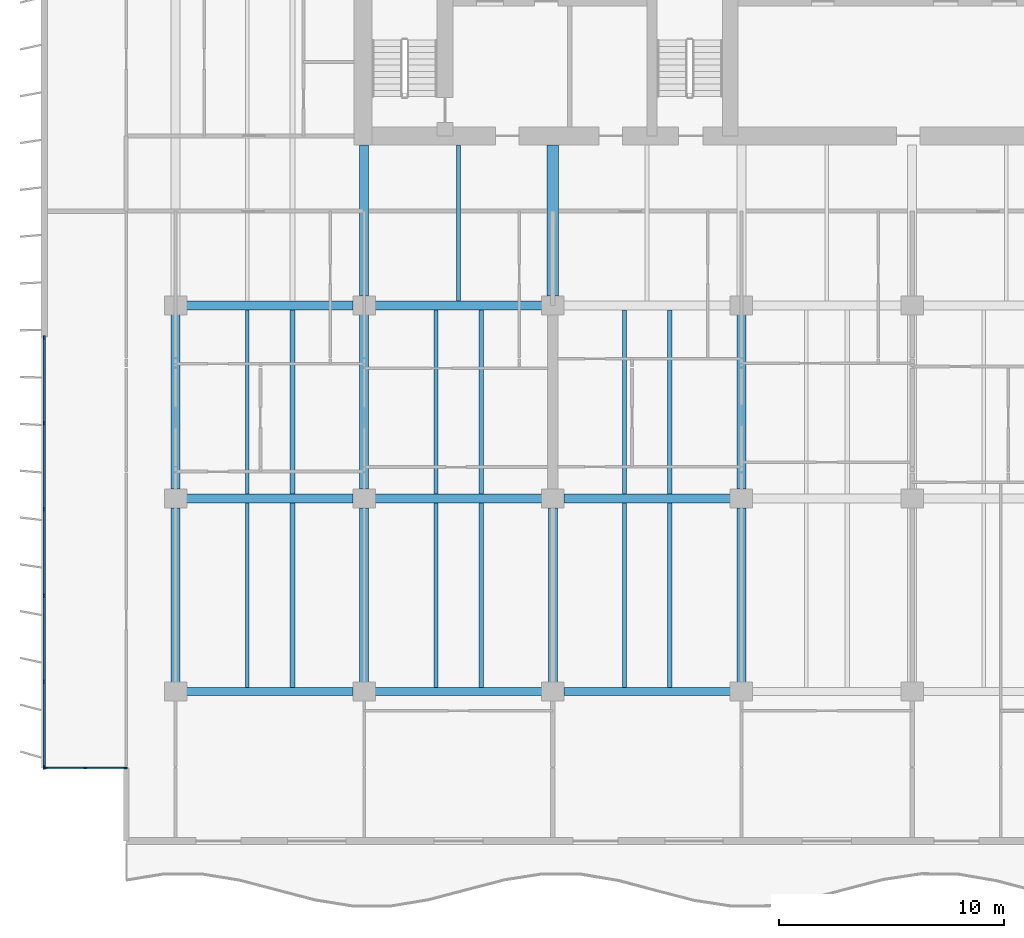
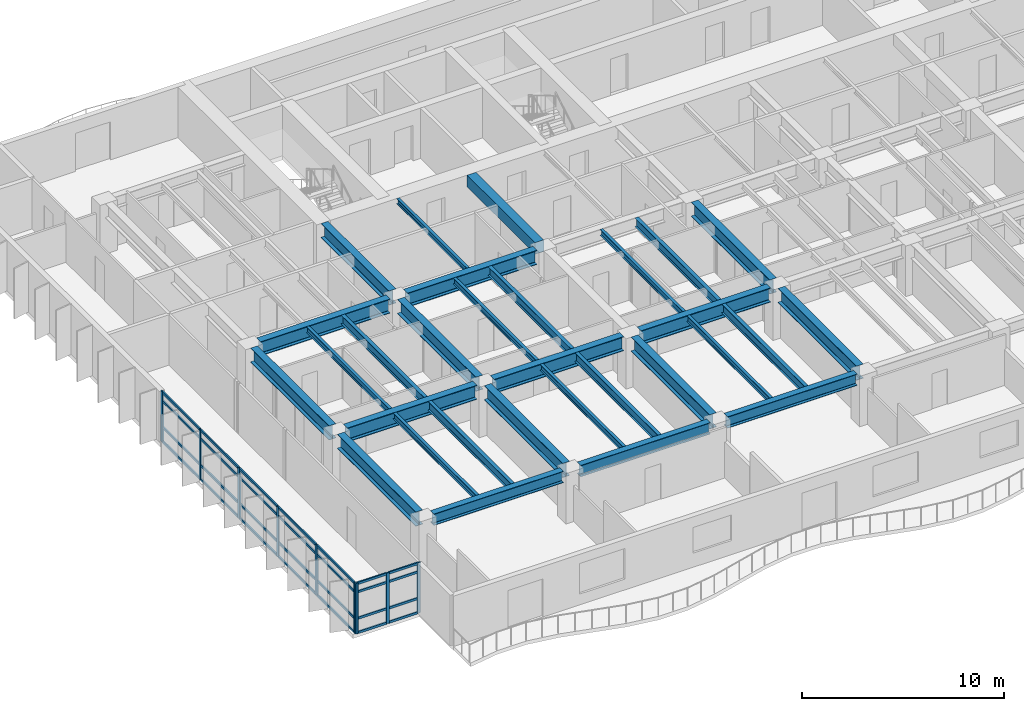
# One storey, part 2 of 19: 37 members, 30 beams, 2 elements without a shape of their own.
"""IFC4 building model written with IfcOpenShell, lengths in metres."""

from ifc_helpers import new_model, si_unit, direction, frame, origin, origin_2d, place, context, subcontext, project, spatial, rectangle, i_section, extrude, material, layer, layer_set, material_profile, profile_set, type_object, element, aggregate, save


model = new_model("IFC4")

# Units and contexts
model_context = context("Model", 3, precision=1e-05, world=origin(), true_north=direction((0.0, 1.0)))
body_context = subcontext(model_context, "Body", "Model", "MODEL_VIEW")
ifc_project = project(units=[si_unit("LENGTHUNIT", "METRE"), si_unit("AREAUNIT", "SQUARE_METRE"), si_unit("VOLUMEUNIT", "CUBIC_METRE"), si_unit("PLANEANGLEUNIT", "RADIAN"), si_unit("MASSUNIT", "GRAM", prefix="KILO")], contexts=[model_context])

# Site, building, storey
site_placement = place(None, origin())
site = spatial("IfcSite", under=ifc_project, at=site_placement, CompositionType="ELEMENT")
building_placement = place(site_placement, origin())
building = spatial("IfcBuilding", under=site, at=building_placement, Name="Caelmar Bay Residences", CompositionType="ELEMENT")
storey_placement = place(building_placement, frame((0.0, 0.0, 115.800048828125)))
storey = spatial("IfcBuildingStorey", under=building, at=storey_placement, Name="L31", CompositionType="ELEMENT", Elevation=115.800048828125)

# Beams
ifc_material_1 = material(Name="Steel ASTM A992 Grade 50", Category="steel")
ifc_material_profile_1 = material_profile(ifc_material_1, i_section(OverallWidth=0.40087890625, OverallDepth=0.861083984375, WebThickness=0.019775390625, FlangeThickness=0.032470703125, FilletRadius=0.017822265625, at=origin_2d()), Name="W33X221")
ifc_profile_set_1 = profile_set([ifc_material_profile_1], Name="Steel ASTM A992 Grade 50")
beam_type_1 = type_object("IfcBeamType", Name="BM-GRD-W33X221", PredefinedType="BEAM", material=ifc_profile_set_1)
beam_1_placement = place(storey_placement, frame((10.389892578125, 20.800048828125, 2.619384765625), z_axis=(1.0, 0.0, 0.0), x_axis=(0.0, 1.0, 0.0)))
element("IfcBeam", 1, at=beam_1_placement, inside=storey, type_object=beam_type_1, Name="L31 East-West Girder Y=20.80 (9.9-18.3)", PredefinedType="BEAM", context=body_context, shape_type="SweptSolid", body=[
    extrude(i_section(OverallWidth=0.40087890625, OverallDepth=0.861083984375, WebThickness=0.019775390625, FlangeThickness=0.032470703125, FilletRadius=0.017822265625, at=origin_2d()), origin(), (0.0, 0.0, 1.0), 7.420166015625),
])
beam_2_placement = place(storey_placement, frame((18.7900390625, 20.800048828125, 2.619384765625), z_axis=(1.0, 0.0, 0.0), x_axis=(0.0, 1.0, 0.0)))
element("IfcBeam", 2, at=beam_2_placement, inside=storey, type_object=beam_type_1, Name="L31 East-West Girder Y=20.80 (18.3-26.7)", PredefinedType="BEAM", context=body_context, shape_type="SweptSolid", body=[
    extrude(i_section(OverallWidth=0.40087890625, OverallDepth=0.861083984375, WebThickness=0.019775390625, FlangeThickness=0.032470703125, FilletRadius=0.017822265625, at=origin_2d()), origin(), (0.0, 0.0, 1.0), 7.419921875),
])
for number, where, z_axis, x_axis, name in (
    (3, (27.18994140625, 20.800048828125, 2.619384765625), (1.0, 0.0, 0.0), (0.0, 1.0, 0.0), "L31 East-West Girder Y=20.80 (26.7-35.1)"),
    (4, (10.389892578125, 29.39990234375, 2.619384765625), (1.0, 0.0, 0.0), (0.0, 1.0, 0.0), "L31 East-West Girder Y=29.40 (9.9-18.3)"),
):
    element("IfcBeam", number, at=place(storey_placement, frame(where, z_axis=z_axis, x_axis=x_axis)), inside=storey, type_object=beam_type_1, Name=name, PredefinedType="BEAM", context=body_context, shape_type="SweptSolid", body=[
        extrude(i_section(OverallWidth=0.40087890625, OverallDepth=0.861083984375, WebThickness=0.019775390625, FlangeThickness=0.032470703125, FilletRadius=0.017822265625, at=origin_2d()), origin(), (0.0, 0.0, 1.0), 7.420166015625),
    ])
beam_3_placement = place(storey_placement, frame((18.7900390625, 29.39990234375, 2.619384765625), z_axis=(1.0, 0.0, 0.0), x_axis=(0.0, 1.0, 0.0)))
element("IfcBeam", 5, at=beam_3_placement, inside=storey, type_object=beam_type_1, Name="L31 East-West Girder Y=29.40 (18.3-26.7)", PredefinedType="BEAM", context=body_context, shape_type="SweptSolid", body=[
    extrude(i_section(OverallWidth=0.40087890625, OverallDepth=0.861083984375, WebThickness=0.019775390625, FlangeThickness=0.032470703125, FilletRadius=0.017822265625, at=origin_2d()), origin(), (0.0, 0.0, 1.0), 7.419921875),
])
for number, where, z_axis, x_axis, name in (
    (6, (9.89990234375, 12.614990234375, 2.619384765625), (0.0, 1.0, 0.0), (-1.0, 0.0, 0.0), "L31 North-South Girder X=9.90 (12.2-20.8)"),
    (7, (9.89990234375, 21.215087890625, 2.619384765625), (0.0, 1.0, 0.0), (-1.0, 0.0, 0.0), "L31 North-South Girder X=9.90 (20.8-29.4)"),
):
    element("IfcBeam", number, at=place(storey_placement, frame(where, z_axis=z_axis, x_axis=x_axis)), inside=storey, type_object=beam_type_1, Name=name, PredefinedType="BEAM", context=body_context, shape_type="SweptSolid", body=[
        extrude(i_section(OverallWidth=0.40087890625, OverallDepth=0.861083984375, WebThickness=0.019775390625, FlangeThickness=0.032470703125, FilletRadius=0.017822265625, at=origin_2d()), origin(), (0.0, 0.0, 1.0), 7.77001953125),
    ])
beam_4_placement = place(storey_placement, frame((18.300048828125, 29.81494140625, 2.619384765625), z_axis=(0.0, 1.0, 0.0), x_axis=(-1.0, 0.0, 0.0)))
element("IfcBeam", 8, at=beam_4_placement, inside=storey, type_object=beam_type_1, Name="L31 Core Tie Girder X=18.30", PredefinedType="BEAM", context=body_context, shape_type="SweptSolid", body=[
    extrude(i_section(OverallWidth=0.40087890625, OverallDepth=0.861083984375, WebThickness=0.019775390625, FlangeThickness=0.032470703125, FilletRadius=0.017822265625, at=origin_2d()), origin(), (0.0, 0.0, 1.0), 6.735107421875),
])
for number, where, z_axis, x_axis, name in (
    (9, (18.300048828125, 12.614990234375, 2.619384765625), (0.0, 1.0, 0.0), (-1.0, 0.0, 0.0), "L31 North-South Girder X=18.30 (12.2-20.8)"),
    (10, (18.300048828125, 21.215087890625, 2.619384765625), (0.0, 1.0, 0.0), (-1.0, 0.0, 0.0), "L31 North-South Girder X=18.30 (20.8-29.4)"),
    (11, (26.699951171875, 12.614990234375, 2.619384765625), (0.0, 1.0, 0.0), (-1.0, 0.0, 0.0), "L31 North-South Girder X=26.70 (12.2-20.8)"),
    (12, (35.10009765625, 12.614990234375, 2.619384765625), (0.0, 1.0, 0.0), (-1.0, 0.0, 0.0), "L31 North-South Girder X=35.10 (12.2-20.8)"),
    (13, (35.10009765625, 21.215087890625, 2.619384765625), (0.0, 1.0, 0.0), (-1.0, 0.0, 0.0), "L31 North-South Girder X=35.10 (20.8-29.4)"),
):
    element("IfcBeam", number, at=place(storey_placement, frame(where, z_axis=z_axis, x_axis=x_axis)), inside=storey, type_object=beam_type_1, Name=name, PredefinedType="BEAM", context=body_context, shape_type="SweptSolid", body=[
        extrude(i_section(OverallWidth=0.40087890625, OverallDepth=0.861083984375, WebThickness=0.019775390625, FlangeThickness=0.032470703125, FilletRadius=0.017822265625, at=origin_2d()), origin(), (0.0, 0.0, 1.0), 7.77001953125),
    ])
ifc_material_profile_2 = material_profile(ifc_material_1, i_section(OverallWidth=0.1650390625, OverallDepth=0.31005859375, WebThickness=0.005859375, FlangeThickness=0.009765625, FilletRadius=0.007568359375, at=origin_2d()), Name="W12X26")
ifc_profile_set_2 = profile_set([ifc_material_profile_2], Name="Steel ASTM A992 Grade 50")
beam_type_2 = type_object("IfcBeamType", Name="BM-JST-W12X26", PredefinedType="JOIST", material=ifc_profile_set_2)
beam_5_placement = place(storey_placement, frame((22.5, 29.6005859375, 2.89501953125), z_axis=(0.0, 1.0, 0.0), x_axis=(-1.0, 0.0, 0.0)))
element("IfcBeam", 14, at=beam_5_placement, inside=storey, type_object=beam_type_2, Name="L31 Core-Band Composite Joist 29", PredefinedType="JOIST", context=body_context, shape_type="SweptSolid", body=[
    extrude(i_section(OverallWidth=0.1650390625, OverallDepth=0.31005859375, WebThickness=0.005859375, FlangeThickness=0.009765625, FilletRadius=0.007568359375, at=origin_2d()), origin(), (0.0, 0.0, 1.0), 6.949462890625),
])
ifc_material_profile_3 = material_profile(ifc_material_1, i_section(OverallWidth=0.1708984375, OverallDepth=0.35595703125, WebThickness=0.007080078125, FlangeThickness=0.01171875, FilletRadius=0.007568359375, at=origin_2d()), Name="W14X34")
ifc_profile_set_3 = profile_set([ifc_material_profile_3], Name="Steel ASTM A992 Grade 50")
beam_type_3 = type_object("IfcBeamType", Name="BM-JST-W14X34", PredefinedType="JOIST", material=ifc_profile_set_3)
for number, where, z_axis, x_axis, name in (
    (15, (13.092041015625, 12.3779296875, 2.8720703125), (0.0, 1.0, 0.0), (-1.0, 0.0, 0.0), "L31 Composite Floor Joist 1"),
    (16, (21.491943359375, 12.3779296875, 2.8720703125), (0.0, 1.0, 0.0), (-1.0, 0.0, 0.0), "L31 Composite Floor Joist 3"),
    (17, (29.89208984375, 12.3779296875, 2.8720703125), (0.0, 1.0, 0.0), (-1.0, 0.0, 0.0), "L31 Composite Floor Joist 5"),
):
    element("IfcBeam", number, at=place(storey_placement, frame(where, z_axis=z_axis, x_axis=x_axis)), inside=storey, type_object=beam_type_3, Name=name, PredefinedType="JOIST", context=body_context, shape_type="SweptSolid", body=[
        extrude(i_section(OverallWidth=0.1708984375, OverallDepth=0.35595703125, WebThickness=0.007080078125, FlangeThickness=0.01171875, FilletRadius=0.007568359375, at=origin_2d()), origin(), (0.0, 0.0, 1.0), 8.2216796875),
    ])
for number, where, z_axis, x_axis, name in (
    (18, (13.092041015625, 21.00048828125, 2.8720703125), (0.0, 1.0, 0.0), (-1.0, 0.0, 0.0), "L31 Composite Floor Joist 15"),
    (19, (21.491943359375, 21.00048828125, 2.8720703125), (0.0, 1.0, 0.0), (-1.0, 0.0, 0.0), "L31 Composite Floor Joist 17"),
    (20, (29.89208984375, 21.00048828125, 2.8720703125), (0.0, 1.0, 0.0), (-1.0, 0.0, 0.0), "L31 Composite Floor Joist 19"),
):
    element("IfcBeam", number, at=place(storey_placement, frame(where, z_axis=z_axis, x_axis=x_axis)), inside=storey, type_object=beam_type_3, Name=name, PredefinedType="JOIST", context=body_context, shape_type="SweptSolid", body=[
        extrude(i_section(OverallWidth=0.1708984375, OverallDepth=0.35595703125, WebThickness=0.007080078125, FlangeThickness=0.01171875, FilletRadius=0.007568359375, at=origin_2d()), origin(), (0.0, 0.0, 1.0), 8.198974609375),
    ])
ifc_material_profile_4 = material_profile(ifc_material_1, i_section(OverallWidth=0.2099609375, OverallDepth=0.535888671875, WebThickness=0.010986328125, FlangeThickness=0.017333984375, FilletRadius=0.0126953125, at=origin_2d()), Name="W21X68")
ifc_profile_set_4 = profile_set([ifc_material_profile_4], Name="Steel ASTM A992 Grade 50")
beam_type_4 = type_object("IfcBeamType", Name="BM-JST-W21X68", PredefinedType="JOIST", material=ifc_profile_set_4)
for number, where, z_axis, x_axis, name in (
    (21, (15.10791015625, 12.3779296875, 2.781982421875), (0.0, 1.0, 0.0), (-1.0, 0.0, 0.0), "L31 Composite Floor Joist 2"),
    (22, (23.508056640625, 12.3779296875, 2.781982421875), (0.0, 1.0, 0.0), (-1.0, 0.0, 0.0), "L31 Composite Floor Joist 4"),
    (23, (31.907958984375, 12.3779296875, 2.781982421875), (0.0, 1.0, 0.0), (-1.0, 0.0, 0.0), "L31 Composite Floor Joist 6"),
):
    element("IfcBeam", number, at=place(storey_placement, frame(where, z_axis=z_axis, x_axis=x_axis)), inside=storey, type_object=beam_type_4, Name=name, PredefinedType="JOIST", context=body_context, shape_type="SweptSolid", body=[
        extrude(i_section(OverallWidth=0.2099609375, OverallDepth=0.535888671875, WebThickness=0.010986328125, FlangeThickness=0.017333984375, FilletRadius=0.0126953125, at=origin_2d()), origin(), (0.0, 0.0, 1.0), 8.2216796875),
    ])
for number, where, z_axis, x_axis, name in (
    (24, (15.10791015625, 21.00048828125, 2.781982421875), (0.0, 1.0, 0.0), (-1.0, 0.0, 0.0), "L31 Composite Floor Joist 16"),
    (25, (23.508056640625, 21.00048828125, 2.781982421875), (0.0, 1.0, 0.0), (-1.0, 0.0, 0.0), "L31 Composite Floor Joist 18"),
    (26, (31.907958984375, 21.00048828125, 2.781982421875), (0.0, 1.0, 0.0), (-1.0, 0.0, 0.0), "L31 Composite Floor Joist 20"),
):
    element("IfcBeam", number, at=place(storey_placement, frame(where, z_axis=z_axis, x_axis=x_axis)), inside=storey, type_object=beam_type_4, Name=name, PredefinedType="JOIST", context=body_context, shape_type="SweptSolid", body=[
        extrude(i_section(OverallWidth=0.2099609375, OverallDepth=0.535888671875, WebThickness=0.010986328125, FlangeThickness=0.017333984375, FilletRadius=0.0126953125, at=origin_2d()), origin(), (0.0, 0.0, 1.0), 8.198974609375),
    ])
ifc_material_2 = material(Name="Concrete f'c 55 MPa (8,000 psi)", Category="concrete")
ifc_material_profile_5 = material_profile(ifc_material_2, rectangle(XDim=0.5, YDim=0.699951171875, at=origin_2d()), Name="RC-BM-500X700")
ifc_profile_set_5 = profile_set([ifc_material_profile_5], Name="Concrete f'c 55 MPa (8,000 psi)")
beam_type_5 = type_object("IfcBeamType", Name="BM-RC-500X700", PredefinedType="LINTEL", material=ifc_profile_set_5)
beam_6_placement = place(storey_placement, frame((26.699951171875, 29.81494140625, 2.699951171875), z_axis=(0.0, 1.0, 0.0), x_axis=(-1.0, 0.0, 0.0)))
element("IfcBeam", 27, at=beam_6_placement, inside=storey, type_object=beam_type_5, Name="L31 Shear-Wall Corridor Coupling Lintel W5", PredefinedType="LINTEL", context=body_context, shape_type="SweptSolid", body=[
    extrude(rectangle(XDim=0.5, YDim=0.699951171875, at=origin_2d()), origin(), (0.0, 0.0, 1.0), 6.735107421875),
])
ifc_material_profile_6 = material_profile(ifc_material_1, i_section(OverallWidth=0.35595703125, OverallDepth=0.696044921875, WebThickness=0.015380859375, FlangeThickness=0.02490234375, FilletRadius=0.01513671875, at=origin_2d()), Name="W27X146")
ifc_profile_set_6 = profile_set([ifc_material_profile_6], Name="Steel ASTM A992 Grade 50")
beam_type_6 = type_object("IfcBeamType", Name="BM-SPN-W27X146", PredefinedType="SPANDREL", material=ifc_profile_set_6)
beam_7_placement = place(storey_placement, frame((10.389892578125, 12.199951171875, 2.701904296875), z_axis=(1.0, 0.0, 0.0), x_axis=(0.0, 1.0, 0.0)))
element("IfcBeam", 28, at=beam_7_placement, inside=storey, type_object=beam_type_6, Name="L31 East-West Girder Y=12.20 (9.9-18.3)", PredefinedType="SPANDREL", context=body_context, shape_type="SweptSolid", body=[
    extrude(i_section(OverallWidth=0.35595703125, OverallDepth=0.696044921875, WebThickness=0.015380859375, FlangeThickness=0.02490234375, FilletRadius=0.01513671875, at=origin_2d()), origin(), (0.0, 0.0, 1.0), 7.420166015625),
])
beam_8_placement = place(storey_placement, frame((18.7900390625, 12.199951171875, 2.701904296875), z_axis=(1.0, 0.0, 0.0), x_axis=(0.0, 1.0, 0.0)))
element("IfcBeam", 29, at=beam_8_placement, inside=storey, type_object=beam_type_6, Name="L31 East-West Girder Y=12.20 (18.3-26.7)", PredefinedType="SPANDREL", context=body_context, shape_type="SweptSolid", body=[
    extrude(i_section(OverallWidth=0.35595703125, OverallDepth=0.696044921875, WebThickness=0.015380859375, FlangeThickness=0.02490234375, FilletRadius=0.01513671875, at=origin_2d()), origin(), (0.0, 0.0, 1.0), 7.419921875),
])
beam_9_placement = place(storey_placement, frame((27.18994140625, 12.199951171875, 2.701904296875), z_axis=(1.0, 0.0, 0.0), x_axis=(0.0, 1.0, 0.0)))
element("IfcBeam", 30, at=beam_9_placement, inside=storey, type_object=beam_type_6, Name="L31 East-West Girder Y=12.20 (26.7-35.1)", PredefinedType="SPANDREL", context=body_context, shape_type="SweptSolid", body=[
    extrude(i_section(OverallWidth=0.35595703125, OverallDepth=0.696044921875, WebThickness=0.015380859375, FlangeThickness=0.02490234375, FilletRadius=0.01513671875, at=origin_2d()), origin(), (0.0, 0.0, 1.0), 7.420166015625),
])

# Curtain wall, members
ifc_material_3 = material(Name="Anodised bronze aluminium 6063-T6 and laminated glass", Category="aluminium")
ifc_layer_1 = layer(ifc_material_3, 0.179931640625)
ifc_layer_set_1 = layer_set([ifc_layer_1], Name="Anodised bronze aluminium 6063-T6 and laminated glass")
curtain_wall_type_1 = type_object("IfcCurtainWallType", Name="CW6-NTC", PredefinedType="NOTDEFINED", material=ifc_layer_set_1)
curtain_wall_1_placement = place(storey_placement, origin())
curtain_wall_1 = element("IfcCurtainWall", 31, at=curtain_wall_1_placement, inside=storey, type_object=curtain_wall_type_1, Name="CW6 curtain wall L31", PredefinedType="NOTDEFINED")
ifc_material_4 = material(Name="Anodised bronze aluminium 6063-T6", Category="aluminium")
ifc_material_profile_7 = material_profile(ifc_material_4, rectangle(XDim=0.080078125, YDim=0.179931640625, at=origin_2d()), Name="CWM-80X180")
ifc_profile_set_7 = profile_set([ifc_material_profile_7], Name="Anodised bronze aluminium 6063-T6")
member_type_1 = type_object("IfcMemberType", Name="CWM-180", PredefinedType="MULLION", material=ifc_profile_set_7)
member_1_placement = place(storey_placement, frame((4.090087890625, 8.800048828125, 0.0), z_axis=(0.0, 0.0, 1.0), x_axis=(0.0, 1.0, 0.0)))
member_1 = element("IfcMember", 32, at=member_1_placement, type_object=member_type_1, Name="CW6 mullion 1", PredefinedType="MULLION", context=body_context, shape_type="SweptSolid", body=[
    extrude(rectangle(XDim=0.080078125, YDim=0.179931640625, at=origin_2d()), origin(), (0.0, 0.0, 1.0), 3.050048828125),
])
member_2_placement = place(storey_placement, frame((5.875, 8.800048828125, 0.0), z_axis=(0.0, 0.0, 1.0), x_axis=(0.0, 1.0, 0.0)))
member_2 = element("IfcMember", 33, at=member_2_placement, type_object=member_type_1, Name="CW6 mullion 2", PredefinedType="MULLION", context=body_context, shape_type="SweptSolid", body=[
    extrude(rectangle(XDim=0.080078125, YDim=0.179931640625, at=origin_2d()), origin(), (0.0, 0.0, 1.0), 3.050048828125),
])
member_3_placement = place(storey_placement, frame((7.659912109375, 8.800048828125, 0.0), z_axis=(0.0, 0.0, 1.0), x_axis=(0.0, 1.0, 0.0)))
member_3 = element("IfcMember", 34, at=member_3_placement, type_object=member_type_1, Name="CW6 mullion 3", PredefinedType="MULLION", context=body_context, shape_type="SweptSolid", body=[
    extrude(rectangle(XDim=0.080078125, YDim=0.179931640625, at=origin_2d()), origin(), (0.0, 0.0, 1.0), 3.050048828125),
])

ifc_layer_2 = layer(ifc_material_3, 0.179931640625)
ifc_layer_set_2 = layer_set([ifc_layer_2], Name="Anodised bronze aluminium 6063-T6 and laminated glass")
curtain_wall_type_2 = type_object("IfcCurtainWallType", Name="CW3-Z2", PredefinedType="NOTDEFINED", material=ifc_layer_set_2)
curtain_wall_2_placement = place(storey_placement, origin())
curtain_wall_2 = element("IfcCurtainWall", 35, at=curtain_wall_2_placement, inside=storey, type_object=curtain_wall_type_2, Name="CW3 curtain wall L31", PredefinedType="NOTDEFINED")
member_4_placement = place(storey_placement, frame((4.050048828125, 8.840087890625, 0.0), z_axis=(0.0, 0.0, 1.0), x_axis=(-1.0, 0.0, 0.0)))
member_4 = element("IfcMember", 36, at=member_4_placement, type_object=member_type_1, Name="CW3 mullion 1", PredefinedType="MULLION", context=body_context, shape_type="SweptSolid", body=[
    extrude(rectangle(XDim=0.080078125, YDim=0.179931640625, at=origin_2d()), origin(), (0.0, 0.0, 1.0), 3.050048828125),
])
member_5_placement = place(storey_placement, frame((4.050048828125, 12.639892578125, 0.0), z_axis=(0.0, 0.0, 1.0), x_axis=(-1.0, 0.0, 0.0)))
member_5 = element("IfcMember", 37, at=member_5_placement, type_object=member_type_1, Name="CW3 mullion 2", PredefinedType="MULLION", context=body_context, shape_type="SweptSolid", body=[
    extrude(rectangle(XDim=0.080078125, YDim=0.179931640625, at=origin_2d()), origin(), (0.0, 0.0, 1.0), 3.050048828125),
])
member_6_placement = place(storey_placement, frame((4.050048828125, 16.47998046875, 0.0), z_axis=(0.0, 0.0, 1.0), x_axis=(-1.0, 0.0, 0.0)))
member_6 = element("IfcMember", 38, at=member_6_placement, type_object=member_type_1, Name="CW3 mullion 3", PredefinedType="MULLION", context=body_context, shape_type="SweptSolid", body=[
    extrude(rectangle(XDim=0.080078125, YDim=0.179931640625, at=origin_2d()), origin(), (0.0, 0.0, 1.0), 3.050048828125),
])
member_7_placement = place(storey_placement, frame((4.050048828125, 20.320068359375, 0.0), z_axis=(0.0, 0.0, 1.0), x_axis=(-1.0, 0.0, 0.0)))
member_7 = element("IfcMember", 39, at=member_7_placement, type_object=member_type_1, Name="CW3 mullion 4", PredefinedType="MULLION", context=body_context, shape_type="SweptSolid", body=[
    extrude(rectangle(XDim=0.080078125, YDim=0.179931640625, at=origin_2d()), origin(), (0.0, 0.0, 1.0), 3.050048828125),
])
member_8_placement = place(storey_placement, frame((4.050048828125, 24.159912109375, 0.0), z_axis=(0.0, 0.0, 1.0), x_axis=(-1.0, 0.0, 0.0)))
member_8 = element("IfcMember", 40, at=member_8_placement, type_object=member_type_1, Name="CW3 mullion 5", PredefinedType="MULLION", context=body_context, shape_type="SweptSolid", body=[
    extrude(rectangle(XDim=0.080078125, YDim=0.179931640625, at=origin_2d()), origin(), (0.0, 0.0, 1.0), 3.050048828125),
])
member_9_placement = place(storey_placement, frame((4.050048828125, 27.9599609375, 0.0), z_axis=(0.0, 0.0, 1.0), x_axis=(-1.0, 0.0, 0.0)))
member_9 = element("IfcMember", 41, at=member_9_placement, type_object=member_type_1, Name="CW3 mullion 6", PredefinedType="MULLION", context=body_context, shape_type="SweptSolid", body=[
    extrude(rectangle(XDim=0.080078125, YDim=0.179931640625, at=origin_2d()), origin(), (0.0, 0.0, 1.0), 3.050048828125),
])

# Member
ifc_material_profile_8 = material_profile(ifc_material_4, rectangle(XDim=0.080078125, YDim=0.139892578125, at=origin_2d()), Name="CWT-80X140")
ifc_profile_set_8 = profile_set([ifc_material_profile_8], Name="Anodised bronze aluminium 6063-T6")
member_type_2 = type_object("IfcMemberType", Name="CWT-140", PredefinedType="NOTDEFINED", material=ifc_profile_set_8)
member_10_placement = place(storey_placement, frame((4.1298828125, 8.800048828125, 0.0400390625), z_axis=(1.0, 0.0, 0.0), x_axis=(0.0, 1.0, 0.0)))
member_10 = element("IfcMember", 42, at=member_10_placement, type_object=member_type_2, Name="CW6 transom 1.1", ObjectType="TRANSOM", PredefinedType="USERDEFINED", context=body_context, shape_type="SweptSolid", body=[
    extrude(rectangle(XDim=0.080078125, YDim=0.139892578125, at=origin_2d()), origin(), (0.0, 0.0, 1.0), 1.705078125),
])

member_11_placement = place(storey_placement, frame((4.1298828125, 8.800048828125, 0.89990234375), z_axis=(1.0, 0.0, 0.0), x_axis=(0.0, 1.0, 0.0)))
member_11 = element("IfcMember", 43, at=member_11_placement, type_object=member_type_2, Name="CW6 transom 1.2", ObjectType="TRANSOM", PredefinedType="USERDEFINED", context=body_context, shape_type="SweptSolid", body=[
    extrude(rectangle(XDim=0.080078125, YDim=0.139892578125, at=origin_2d()), origin(), (0.0, 0.0, 1.0), 1.705078125),
])

member_12_placement = place(storey_placement, frame((4.1298828125, 8.800048828125, 2.5), z_axis=(1.0, 0.0, 0.0), x_axis=(0.0, 1.0, 0.0)))
member_12 = element("IfcMember", 44, at=member_12_placement, type_object=member_type_2, Name="CW6 transom 1.3", ObjectType="TRANSOM", PredefinedType="USERDEFINED", context=body_context, shape_type="SweptSolid", body=[
    extrude(rectangle(XDim=0.080078125, YDim=0.139892578125, at=origin_2d()), origin(), (0.0, 0.0, 1.0), 1.705078125),
])

member_13_placement = place(storey_placement, frame((4.1298828125, 8.800048828125, 3.010009765625), z_axis=(1.0, 0.0, 0.0), x_axis=(0.0, 1.0, 0.0)))
member_13 = element("IfcMember", 45, at=member_13_placement, type_object=member_type_2, Name="CW6 transom 1.4", ObjectType="TRANSOM", PredefinedType="USERDEFINED", context=body_context, shape_type="SweptSolid", body=[
    extrude(rectangle(XDim=0.080078125, YDim=0.139892578125, at=origin_2d()), origin(), (0.0, 0.0, 1.0), 1.705078125),
])

member_14_placement = place(storey_placement, frame((5.9150390625, 8.800048828125, 0.0400390625), z_axis=(1.0, 0.0, 0.0), x_axis=(0.0, 1.0, 0.0)))
member_14 = element("IfcMember", 46, at=member_14_placement, type_object=member_type_2, Name="CW6 transom 2.1", ObjectType="TRANSOM", PredefinedType="USERDEFINED", context=body_context, shape_type="SweptSolid", body=[
    extrude(rectangle(XDim=0.080078125, YDim=0.139892578125, at=origin_2d()), origin(), (0.0, 0.0, 1.0), 1.705078125),
])

member_15_placement = place(storey_placement, frame((5.9150390625, 8.800048828125, 0.89990234375), z_axis=(1.0, 0.0, 0.0), x_axis=(0.0, 1.0, 0.0)))
member_15 = element("IfcMember", 47, at=member_15_placement, type_object=member_type_2, Name="CW6 transom 2.2", ObjectType="TRANSOM", PredefinedType="USERDEFINED", context=body_context, shape_type="SweptSolid", body=[
    extrude(rectangle(XDim=0.080078125, YDim=0.139892578125, at=origin_2d()), origin(), (0.0, 0.0, 1.0), 1.705078125),
])

member_16_placement = place(storey_placement, frame((5.9150390625, 8.800048828125, 2.5), z_axis=(1.0, 0.0, 0.0), x_axis=(0.0, 1.0, 0.0)))
member_16 = element("IfcMember", 48, at=member_16_placement, type_object=member_type_2, Name="CW6 transom 2.3", ObjectType="TRANSOM", PredefinedType="USERDEFINED", context=body_context, shape_type="SweptSolid", body=[
    extrude(rectangle(XDim=0.080078125, YDim=0.139892578125, at=origin_2d()), origin(), (0.0, 0.0, 1.0), 1.705078125),
])

member_17_placement = place(storey_placement, frame((5.9150390625, 8.800048828125, 3.010009765625), z_axis=(1.0, 0.0, 0.0), x_axis=(0.0, 1.0, 0.0)))
member_17 = element("IfcMember", 49, at=member_17_placement, type_object=member_type_2, Name="CW6 transom 2.4", ObjectType="TRANSOM", PredefinedType="USERDEFINED", context=body_context, shape_type="SweptSolid", body=[
    extrude(rectangle(XDim=0.080078125, YDim=0.139892578125, at=origin_2d()), origin(), (0.0, 0.0, 1.0), 1.705078125),
])

aggregate(curtain_wall_1, [member_1, member_2, member_3, member_10, member_11, member_12, member_13, member_14, member_15, member_16, member_17])

member_18_placement = place(storey_placement, frame((4.050048828125, 8.8798828125, 0.0400390625), z_axis=(0.0, 1.0, 0.0), x_axis=(-1.0, 0.0, 0.0)))
member_18 = element("IfcMember", 50, at=member_18_placement, type_object=member_type_2, Name="CW3 transom 1.1", ObjectType="TRANSOM", PredefinedType="USERDEFINED", context=body_context, shape_type="SweptSolid", body=[
    extrude(rectangle(XDim=0.080078125, YDim=0.139892578125, at=origin_2d()), origin(), (0.0, 0.0, 1.0), 3.72021484375),
])

member_19_placement = place(storey_placement, frame((4.050048828125, 8.8798828125, 0.89990234375), z_axis=(0.0, 1.0, 0.0), x_axis=(-1.0, 0.0, 0.0)))
member_19 = element("IfcMember", 51, at=member_19_placement, type_object=member_type_2, Name="CW3 transom 1.2", ObjectType="TRANSOM", PredefinedType="USERDEFINED", context=body_context, shape_type="SweptSolid", body=[
    extrude(rectangle(XDim=0.080078125, YDim=0.139892578125, at=origin_2d()), origin(), (0.0, 0.0, 1.0), 3.72021484375),
])

member_20_placement = place(storey_placement, frame((4.050048828125, 8.8798828125, 2.5), z_axis=(0.0, 1.0, 0.0), x_axis=(-1.0, 0.0, 0.0)))
member_20 = element("IfcMember", 52, at=member_20_placement, type_object=member_type_2, Name="CW3 transom 1.3", ObjectType="TRANSOM", PredefinedType="USERDEFINED", context=body_context, shape_type="SweptSolid", body=[
    extrude(rectangle(XDim=0.080078125, YDim=0.139892578125, at=origin_2d()), origin(), (0.0, 0.0, 1.0), 3.72021484375),
])

member_21_placement = place(storey_placement, frame((4.050048828125, 8.8798828125, 3.010009765625), z_axis=(0.0, 1.0, 0.0), x_axis=(-1.0, 0.0, 0.0)))
member_21 = element("IfcMember", 53, at=member_21_placement, type_object=member_type_2, Name="CW3 transom 1.4", ObjectType="TRANSOM", PredefinedType="USERDEFINED", context=body_context, shape_type="SweptSolid", body=[
    extrude(rectangle(XDim=0.080078125, YDim=0.139892578125, at=origin_2d()), origin(), (0.0, 0.0, 1.0), 3.72021484375),
])

member_22_placement = place(storey_placement, frame((4.050048828125, 12.679931640625, 0.0400390625), z_axis=(0.0, 1.0, 0.0), x_axis=(-1.0, 0.0, 0.0)))
member_22 = element("IfcMember", 54, at=member_22_placement, type_object=member_type_2, Name="CW3 transom 2.1", ObjectType="TRANSOM", PredefinedType="USERDEFINED", context=body_context, shape_type="SweptSolid", body=[
    extrude(rectangle(XDim=0.080078125, YDim=0.139892578125, at=origin_2d()), origin(), (0.0, 0.0, 1.0), 3.760009765625),
])

member_23_placement = place(storey_placement, frame((4.050048828125, 12.679931640625, 0.89990234375), z_axis=(0.0, 1.0, 0.0), x_axis=(-1.0, 0.0, 0.0)))
member_23 = element("IfcMember", 55, at=member_23_placement, type_object=member_type_2, Name="CW3 transom 2.2", ObjectType="TRANSOM", PredefinedType="USERDEFINED", context=body_context, shape_type="SweptSolid", body=[
    extrude(rectangle(XDim=0.080078125, YDim=0.139892578125, at=origin_2d()), origin(), (0.0, 0.0, 1.0), 3.760009765625),
])

member_24_placement = place(storey_placement, frame((4.050048828125, 12.679931640625, 2.5), z_axis=(0.0, 1.0, 0.0), x_axis=(-1.0, 0.0, 0.0)))
member_24 = element("IfcMember", 56, at=member_24_placement, type_object=member_type_2, Name="CW3 transom 2.3", ObjectType="TRANSOM", PredefinedType="USERDEFINED", context=body_context, shape_type="SweptSolid", body=[
    extrude(rectangle(XDim=0.080078125, YDim=0.139892578125, at=origin_2d()), origin(), (0.0, 0.0, 1.0), 3.760009765625),
])

member_25_placement = place(storey_placement, frame((4.050048828125, 12.679931640625, 3.010009765625), z_axis=(0.0, 1.0, 0.0), x_axis=(-1.0, 0.0, 0.0)))
member_25 = element("IfcMember", 57, at=member_25_placement, type_object=member_type_2, Name="CW3 transom 2.4", ObjectType="TRANSOM", PredefinedType="USERDEFINED", context=body_context, shape_type="SweptSolid", body=[
    extrude(rectangle(XDim=0.080078125, YDim=0.139892578125, at=origin_2d()), origin(), (0.0, 0.0, 1.0), 3.760009765625),
])

member_26_placement = place(storey_placement, frame((4.050048828125, 16.52001953125, 0.0400390625), z_axis=(0.0, 1.0, 0.0), x_axis=(-1.0, 0.0, 0.0)))
member_26 = element("IfcMember", 58, at=member_26_placement, type_object=member_type_2, Name="CW3 transom 3.1", ObjectType="TRANSOM", PredefinedType="USERDEFINED", context=body_context, shape_type="SweptSolid", body=[
    extrude(rectangle(XDim=0.080078125, YDim=0.139892578125, at=origin_2d()), origin(), (0.0, 0.0, 1.0), 3.760009765625),
])

member_27_placement = place(storey_placement, frame((4.050048828125, 16.52001953125, 0.89990234375), z_axis=(0.0, 1.0, 0.0), x_axis=(-1.0, 0.0, 0.0)))
member_27 = element("IfcMember", 59, at=member_27_placement, type_object=member_type_2, Name="CW3 transom 3.2", ObjectType="TRANSOM", PredefinedType="USERDEFINED", context=body_context, shape_type="SweptSolid", body=[
    extrude(rectangle(XDim=0.080078125, YDim=0.139892578125, at=origin_2d()), origin(), (0.0, 0.0, 1.0), 3.760009765625),
])

member_28_placement = place(storey_placement, frame((4.050048828125, 16.52001953125, 2.5), z_axis=(0.0, 1.0, 0.0), x_axis=(-1.0, 0.0, 0.0)))
member_28 = element("IfcMember", 60, at=member_28_placement, type_object=member_type_2, Name="CW3 transom 3.3", ObjectType="TRANSOM", PredefinedType="USERDEFINED", context=body_context, shape_type="SweptSolid", body=[
    extrude(rectangle(XDim=0.080078125, YDim=0.139892578125, at=origin_2d()), origin(), (0.0, 0.0, 1.0), 3.760009765625),
])

member_29_placement = place(storey_placement, frame((4.050048828125, 16.52001953125, 3.010009765625), z_axis=(0.0, 1.0, 0.0), x_axis=(-1.0, 0.0, 0.0)))
member_29 = element("IfcMember", 61, at=member_29_placement, type_object=member_type_2, Name="CW3 transom 3.4", ObjectType="TRANSOM", PredefinedType="USERDEFINED", context=body_context, shape_type="SweptSolid", body=[
    extrude(rectangle(XDim=0.080078125, YDim=0.139892578125, at=origin_2d()), origin(), (0.0, 0.0, 1.0), 3.760009765625),
])

member_30_placement = place(storey_placement, frame((4.050048828125, 20.360107421875, 0.0400390625), z_axis=(0.0, 1.0, 0.0), x_axis=(-1.0, 0.0, 0.0)))
member_30 = element("IfcMember", 62, at=member_30_placement, type_object=member_type_2, Name="CW3 transom 4.1", ObjectType="TRANSOM", PredefinedType="USERDEFINED", context=body_context, shape_type="SweptSolid", body=[
    extrude(rectangle(XDim=0.080078125, YDim=0.139892578125, at=origin_2d()), origin(), (0.0, 0.0, 1.0), 3.760009765625),
])

member_31_placement = place(storey_placement, frame((4.050048828125, 20.360107421875, 0.89990234375), z_axis=(0.0, 1.0, 0.0), x_axis=(-1.0, 0.0, 0.0)))
member_31 = element("IfcMember", 63, at=member_31_placement, type_object=member_type_2, Name="CW3 transom 4.2", ObjectType="TRANSOM", PredefinedType="USERDEFINED", context=body_context, shape_type="SweptSolid", body=[
    extrude(rectangle(XDim=0.080078125, YDim=0.139892578125, at=origin_2d()), origin(), (0.0, 0.0, 1.0), 3.760009765625),
])

member_32_placement = place(storey_placement, frame((4.050048828125, 20.360107421875, 2.5), z_axis=(0.0, 1.0, 0.0), x_axis=(-1.0, 0.0, 0.0)))
member_32 = element("IfcMember", 64, at=member_32_placement, type_object=member_type_2, Name="CW3 transom 4.3", ObjectType="TRANSOM", PredefinedType="USERDEFINED", context=body_context, shape_type="SweptSolid", body=[
    extrude(rectangle(XDim=0.080078125, YDim=0.139892578125, at=origin_2d()), origin(), (0.0, 0.0, 1.0), 3.760009765625),
])

member_33_placement = place(storey_placement, frame((4.050048828125, 20.360107421875, 3.010009765625), z_axis=(0.0, 1.0, 0.0), x_axis=(-1.0, 0.0, 0.0)))
member_33 = element("IfcMember", 65, at=member_33_placement, type_object=member_type_2, Name="CW3 transom 4.4", ObjectType="TRANSOM", PredefinedType="USERDEFINED", context=body_context, shape_type="SweptSolid", body=[
    extrude(rectangle(XDim=0.080078125, YDim=0.139892578125, at=origin_2d()), origin(), (0.0, 0.0, 1.0), 3.760009765625),
])

member_34_placement = place(storey_placement, frame((4.050048828125, 24.199951171875, 0.0400390625), z_axis=(0.0, 1.0, 0.0), x_axis=(-1.0, 0.0, 0.0)))
member_34 = element("IfcMember", 66, at=member_34_placement, type_object=member_type_2, Name="CW3 transom 5.1", ObjectType="TRANSOM", PredefinedType="USERDEFINED", context=body_context, shape_type="SweptSolid", body=[
    extrude(rectangle(XDim=0.080078125, YDim=0.139892578125, at=origin_2d()), origin(), (0.0, 0.0, 1.0), 3.719970703125),
])

member_35_placement = place(storey_placement, frame((4.050048828125, 24.199951171875, 0.89990234375), z_axis=(0.0, 1.0, 0.0), x_axis=(-1.0, 0.0, 0.0)))
member_35 = element("IfcMember", 67, at=member_35_placement, type_object=member_type_2, Name="CW3 transom 5.2", ObjectType="TRANSOM", PredefinedType="USERDEFINED", context=body_context, shape_type="SweptSolid", body=[
    extrude(rectangle(XDim=0.080078125, YDim=0.139892578125, at=origin_2d()), origin(), (0.0, 0.0, 1.0), 3.719970703125),
])

member_36_placement = place(storey_placement, frame((4.050048828125, 24.199951171875, 2.5), z_axis=(0.0, 1.0, 0.0), x_axis=(-1.0, 0.0, 0.0)))
member_36 = element("IfcMember", 68, at=member_36_placement, type_object=member_type_2, Name="CW3 transom 5.3", ObjectType="TRANSOM", PredefinedType="USERDEFINED", context=body_context, shape_type="SweptSolid", body=[
    extrude(rectangle(XDim=0.080078125, YDim=0.139892578125, at=origin_2d()), origin(), (0.0, 0.0, 1.0), 3.719970703125),
])

member_37_placement = place(storey_placement, frame((4.050048828125, 24.199951171875, 3.010009765625), z_axis=(0.0, 1.0, 0.0), x_axis=(-1.0, 0.0, 0.0)))
member_37 = element("IfcMember", 69, at=member_37_placement, type_object=member_type_2, Name="CW3 transom 5.4", ObjectType="TRANSOM", PredefinedType="USERDEFINED", context=body_context, shape_type="SweptSolid", body=[
    extrude(rectangle(XDim=0.080078125, YDim=0.139892578125, at=origin_2d()), origin(), (0.0, 0.0, 1.0), 3.719970703125),
])

aggregate(curtain_wall_2, [member_4, member_5, member_6, member_7, member_8, member_9, member_18, member_19, member_20, member_21, member_22, member_23, member_24, member_25, member_26, member_27, member_28, member_29, member_30, member_31, member_32, member_33, member_34, member_35, member_36, member_37])

save(model, "model.ifc")
